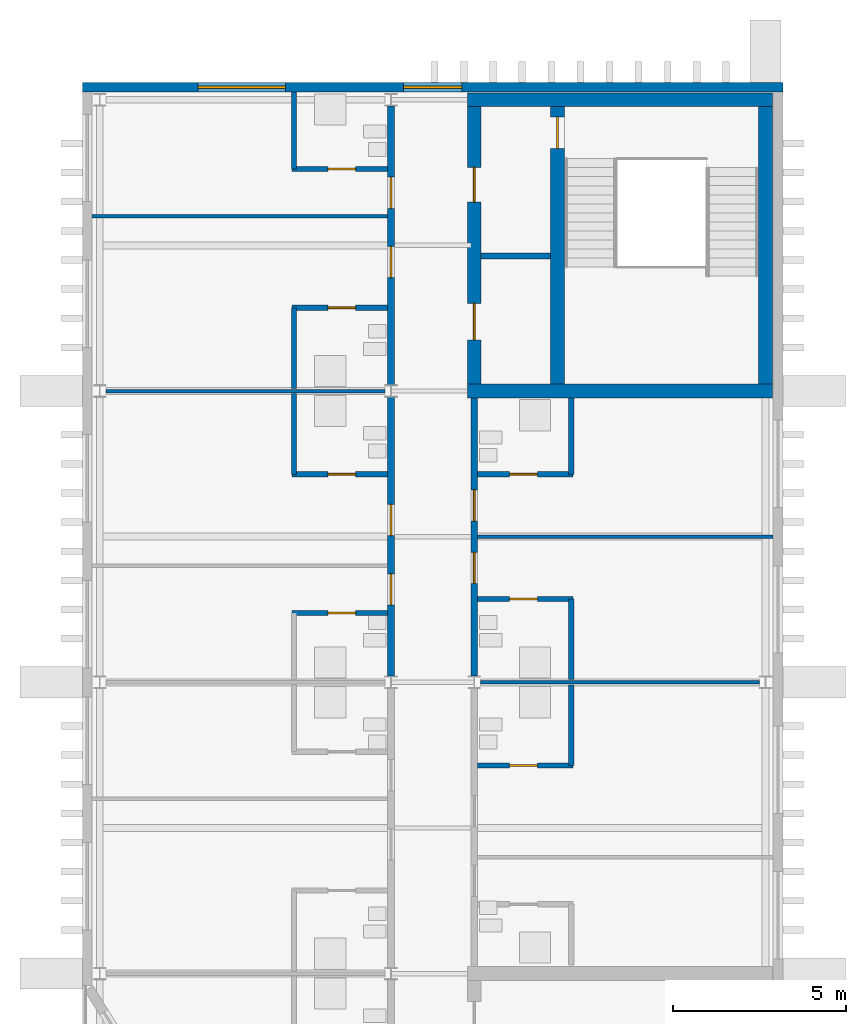
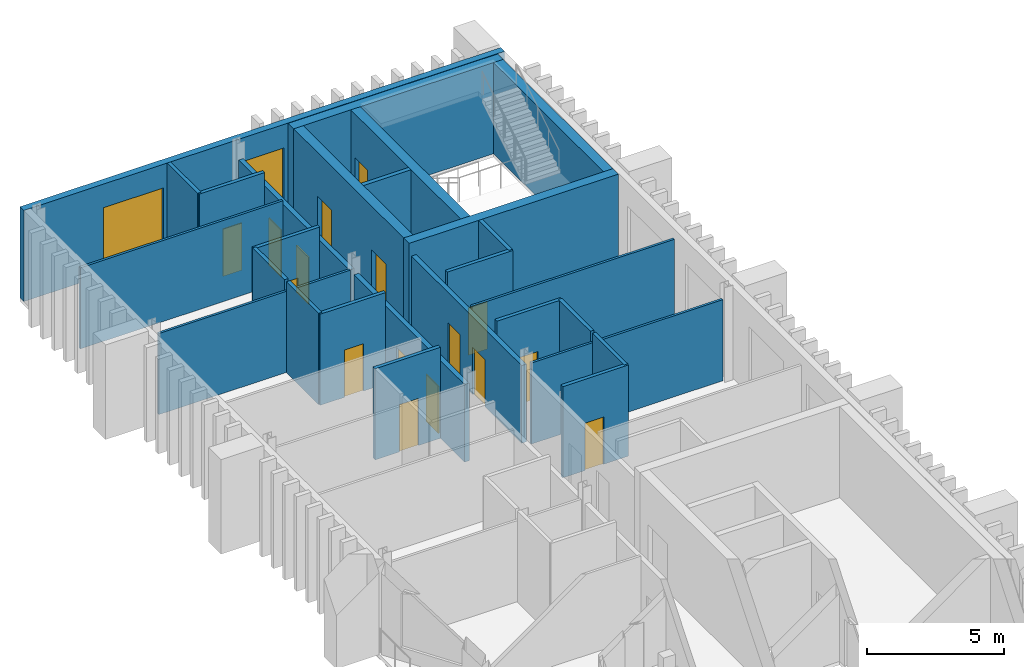
# One storey, part 8 of 11: 27 walls, 16 doors, 2 windows, 18 openings.
"""IFC4 building model written with IfcOpenShell, lengths in metres."""

from ifc_helpers import new_model, si_unit, direction, frame, frame_2d, origin, place, context, subcontext, project, spatial, rectangle, extrude, material, layer, layer_set, type_object, element, fill, save


model = new_model("IFC4")

# Units and contexts
model_context = context("Model", 3, precision=1e-05, world=origin(), true_north=direction((0.0, 1.0)))
body_context = subcontext(model_context, "Body", "Model", "MODEL_VIEW")
ifc_project = project(units=[si_unit("LENGTHUNIT", "METRE"), si_unit("AREAUNIT", "SQUARE_METRE"), si_unit("VOLUMEUNIT", "CUBIC_METRE"), si_unit("PLANEANGLEUNIT", "RADIAN"), si_unit("MASSUNIT", "GRAM", prefix="KILO")], contexts=[model_context])

# Site, building, storey
site_placement = place(None, origin())
site = spatial("IfcSite", under=ifc_project, at=site_placement, CompositionType="ELEMENT")
building_placement = place(site_placement, origin())
building = spatial("IfcBuilding", under=site, at=building_placement, Name="Cresset Court Congress Hotel", CompositionType="ELEMENT")
storey_placement = place(building_placement, frame((0.0, 0.0, 48.0)))
storey = spatial("IfcBuildingStorey", under=building, at=storey_placement, Name="L11", CompositionType="ELEMENT", Elevation=48.0)

# Wall, openings, doors
ifc_material_1 = material(Name="Gypsum board partition")
ifc_layer_1 = layer(ifc_material_1, 0.199951171875)
ifc_layer_set_1 = layer_set([ifc_layer_1], Name="Corridor wall 200")
wall_type_1 = type_object("IfcWallType", Name="Corridor wall 200", PredefinedType="PARTITIONING", material=ifc_layer_set_1)
wall_1_placement = place(storey_placement, frame((165.60009765625, 50.574951171875, 0.0), z_axis=(0.0, 0.0, 1.0), x_axis=(0.0, 1.0, 0.0)))
wall_1 = element("IfcWall", 1, at=wall_1_placement, inside=storey, type_object=wall_type_1, Name="A.wl.L11.076", PredefinedType="PARTITIONING", context=body_context, shape_type="SweptSolid", body=[
    extrude(rectangle(XDim=8.050048828125, YDim=0.199951171875, at=frame_2d((4.02490234375, 0.0))), origin(), (0.0, 0.0, 1.0), 3.449951171875),
])
opening_1_placement = place(wall_1_placement, frame((2.054931640625, 0.0, 0.0)))
opening_1 = element("IfcOpeningElement", 2, at=opening_1_placement, cuts=wall_1, Name="Opening DA-11-26", PredefinedType="OPENING", context=body_context, shape_type="SweptSolid", body=[
    extrude(rectangle(XDim=0.89990234375, YDim=2.10009765625, at=frame_2d((0.449951171875, 1.050048828125))), frame((0.0, 0.10986328125, 0.0), z_axis=(0.0, -1.0, 0.0), x_axis=(1.0, 0.0, 0.0)), (0.0, 0.0, 1.0), 0.219970703125),
])
opening_2_placement = place(wall_1_placement, frame((4.054931640625, 0.0, 0.0)))
opening_2 = element("IfcOpeningElement", 3, at=opening_2_placement, cuts=wall_1, Name="Opening DA-11-28", PredefinedType="OPENING", context=body_context, shape_type="SweptSolid", body=[
    extrude(rectangle(XDim=0.89990234375, YDim=2.10009765625, at=frame_2d((0.449951171875, 1.050048828125))), frame((0.0, 0.10986328125, 0.0), z_axis=(0.0, -1.0, 0.0), x_axis=(1.0, 0.0, 0.0)), (0.0, 0.0, 1.0), 0.219970703125),
])
ifc_material_2 = material(Name="timber", Category="wood")
door_type_1 = type_object("IfcDoorType", Name="Guest-room entry door 900x2100 FD30S", OperationType="SINGLE_SWING_LEFT", PredefinedType="DOOR", material=ifc_material_2)
door_1_placement = place(opening_1_placement, origin())
door_1 = element("IfcDoor", 4, at=door_1_placement, inside=storey, type_object=door_type_1, Name="Door DA-11-26", OperationType="SINGLE_SWING_RIGHT", OverallHeight=2.10009765625, OverallWidth=0.89990234375, PredefinedType="DOOR", context=body_context, shape_type="SweptSolid", body=[
    extrude(rectangle(XDim=0.89990234375, YDim=2.10009765625, at=frame_2d((0.449951171875, 1.050048828125))), frame((0.0, 0.02490234375, 0.0), z_axis=(0.0, -1.0, 0.0), x_axis=(1.0, 0.0, 0.0)), (0.0, 0.0, 1.0), 0.050048828125),
])
fill(opening_1, door_1)
door_2_placement = place(opening_2_placement, origin())
door_2 = element("IfcDoor", 5, at=door_2_placement, inside=storey, type_object=door_type_1, Name="Door DA-11-28", OperationType="SINGLE_SWING_LEFT", OverallHeight=2.10009765625, OverallWidth=0.89990234375, PredefinedType="DOOR", context=body_context, shape_type="SweptSolid", body=[
    extrude(rectangle(XDim=0.89990234375, YDim=2.10009765625, at=frame_2d((0.449951171875, 1.050048828125))), frame((0.0, 0.02490234375, 0.0), z_axis=(0.0, -1.0, 0.0), x_axis=(1.0, 0.0, 0.0)), (0.0, 0.0, 1.0), 0.050048828125),
])
fill(opening_2, door_2)

wall_2_placement = place(storey_placement, frame((165.60009765625, 58.97509765625, 0.0), z_axis=(0.0, 0.0, 1.0), x_axis=(0.0, 1.0, 0.0)))
wall_2 = element("IfcWall", 6, at=wall_2_placement, inside=storey, type_object=wall_type_1, Name="A.wl.L11.077", PredefinedType="PARTITIONING", context=body_context, shape_type="SweptSolid", body=[
    extrude(rectangle(XDim=8.0498046875, YDim=0.199951171875, at=frame_2d((4.02490234375, 0.0))), origin(), (0.0, 0.0, 1.0), 3.449951171875),
])
opening_3_placement = place(wall_2_placement, frame((3.094970703125, 0.0, 0.0)))
opening_3 = element("IfcOpeningElement", 7, at=opening_3_placement, cuts=wall_2, Name="Opening DA-11-30", PredefinedType="OPENING", context=body_context, shape_type="SweptSolid", body=[
    extrude(rectangle(XDim=0.89990234375, YDim=2.10009765625, at=frame_2d((0.449951171875, 1.050048828125))), frame((0.0, 0.10986328125, 0.0), z_axis=(0.0, -1.0, 0.0), x_axis=(1.0, 0.0, 0.0)), (0.0, 0.0, 1.0), 0.219970703125),
])
opening_4_placement = place(wall_2_placement, frame((5.094970703125, 0.0, 0.0)))
opening_4 = element("IfcOpeningElement", 8, at=opening_4_placement, cuts=wall_2, Name="Opening DA-11-32", PredefinedType="OPENING", context=body_context, shape_type="SweptSolid", body=[
    extrude(rectangle(XDim=0.89990234375, YDim=2.10009765625, at=frame_2d((0.449951171875, 1.050048828125))), frame((0.0, 0.10986328125, 0.0), z_axis=(0.0, -1.0, 0.0), x_axis=(1.0, 0.0, 0.0)), (0.0, 0.0, 1.0), 0.219970703125),
])
door_3_placement = place(opening_3_placement, origin())
door_3 = element("IfcDoor", 9, at=door_3_placement, inside=storey, type_object=door_type_1, Name="Door DA-11-30", OperationType="SINGLE_SWING_RIGHT", OverallHeight=2.10009765625, OverallWidth=0.89990234375, PredefinedType="DOOR", context=body_context, shape_type="SweptSolid", body=[
    extrude(rectangle(XDim=0.89990234375, YDim=2.10009765625, at=frame_2d((0.449951171875, 1.050048828125))), frame((0.0, 0.02490234375, 0.0), z_axis=(0.0, -1.0, 0.0), x_axis=(1.0, 0.0, 0.0)), (0.0, 0.0, 1.0), 0.050048828125),
])
fill(opening_3, door_3)
door_4_placement = place(opening_4_placement, origin())
door_4 = element("IfcDoor", 10, at=door_4_placement, inside=storey, type_object=door_type_1, Name="Door DA-11-32", OperationType="SINGLE_SWING_LEFT", OverallHeight=2.10009765625, OverallWidth=0.89990234375, PredefinedType="DOOR", context=body_context, shape_type="SweptSolid", body=[
    extrude(rectangle(XDim=0.89990234375, YDim=2.10009765625, at=frame_2d((0.449951171875, 1.050048828125))), frame((0.0, 0.02490234375, 0.0), z_axis=(0.0, -1.0, 0.0), x_axis=(1.0, 0.0, 0.0)), (0.0, 0.0, 1.0), 0.050048828125),
])
fill(opening_4, door_4)

wall_3_placement = place(storey_placement, frame((168.0, 50.574951171875, 0.0), z_axis=(0.0, 0.0, 1.0), x_axis=(0.0, 1.0, 0.0)))
wall_3 = element("IfcWall", 11, at=wall_3_placement, inside=storey, type_object=wall_type_1, Name="A.wl.L11.081", PredefinedType="PARTITIONING", context=body_context, shape_type="SweptSolid", body=[
    extrude(rectangle(XDim=8.025146484375, YDim=0.199951171875, at=frame_2d((4.0126953125, 0.0))), origin(), (0.0, 0.0, 1.0), 3.449951171875),
])
opening_5_placement = place(wall_3_placement, frame((2.675048828125, 0.0, 0.0)))
opening_5 = element("IfcOpeningElement", 12, at=opening_5_placement, cuts=wall_3, Name="Opening DA-11-46", PredefinedType="OPENING", context=body_context, shape_type="SweptSolid", body=[
    extrude(rectangle(XDim=0.89990234375, YDim=2.10009765625, at=frame_2d((0.449951171875, 1.050048828125))), frame((0.0, 0.10986328125, 0.0), z_axis=(0.0, -1.0, 0.0), x_axis=(1.0, 0.0, 0.0)), (0.0, 0.0, 1.0), 0.219970703125),
])
opening_6_placement = place(wall_3_placement, frame((4.47509765625, 0.0, 0.0)))
opening_6 = element("IfcOpeningElement", 13, at=opening_6_placement, cuts=wall_3, Name="Opening DA-11-48", PredefinedType="OPENING", context=body_context, shape_type="SweptSolid", body=[
    extrude(rectangle(XDim=0.89990234375, YDim=2.10009765625, at=frame_2d((0.449951171875, 1.050048828125))), frame((0.0, 0.10986328125, 0.0), z_axis=(0.0, -1.0, 0.0), x_axis=(1.0, 0.0, 0.0)), (0.0, 0.0, 1.0), 0.219970703125),
])
door_5_placement = place(opening_5_placement, origin())
door_5 = element("IfcDoor", 14, at=door_5_placement, inside=storey, type_object=door_type_1, Name="Door DA-11-46", OperationType="SINGLE_SWING_RIGHT", OverallHeight=2.10009765625, OverallWidth=0.89990234375, PredefinedType="DOOR", context=body_context, shape_type="SweptSolid", body=[
    extrude(rectangle(XDim=0.89990234375, YDim=2.10009765625, at=frame_2d((0.449951171875, 1.050048828125))), frame((0.0, 0.02490234375, 0.0), z_axis=(0.0, -1.0, 0.0), x_axis=(1.0, 0.0, 0.0)), (0.0, 0.0, 1.0), 0.050048828125),
])
fill(opening_5, door_5)
door_6_placement = place(opening_6_placement, origin())
door_6 = element("IfcDoor", 15, at=door_6_placement, inside=storey, type_object=door_type_1, Name="Door DA-11-48", OperationType="SINGLE_SWING_LEFT", OverallHeight=2.10009765625, OverallWidth=0.89990234375, PredefinedType="DOOR", context=body_context, shape_type="SweptSolid", body=[
    extrude(rectangle(XDim=0.89990234375, YDim=2.10009765625, at=frame_2d((0.449951171875, 1.050048828125))), frame((0.0, 0.02490234375, 0.0), z_axis=(0.0, -1.0, 0.0), x_axis=(1.0, 0.0, 0.0)), (0.0, 0.0, 1.0), 0.050048828125),
])
fill(opening_6, door_6)

# Wall, opening, door
ifc_material_3 = material(Name="Gypsum board partition")
ifc_layer_2 = layer(ifc_material_3, 0.14990234375)
ifc_layer_set_2 = layer_set([ifc_layer_2], Name="En-suite wall 150")
wall_type_2 = type_object("IfcWallType", Name="En-suite wall 150", PredefinedType="PARTITIONING", material=ifc_layer_set_2)
wall_4_placement = place(storey_placement, frame((162.75, 52.39990234375, 0.0), z_axis=(0.0, 0.0, 1.0), x_axis=(1.0, 0.0, 0.0)))
wall_4 = element("IfcWall", 16, at=wall_4_placement, inside=storey, type_object=wall_type_2, Name="A.wl.L11.026", PredefinedType="PARTITIONING", context=body_context, shape_type="SweptSolid", body=[
    extrude(rectangle(XDim=2.75, YDim=0.14990234375, at=frame_2d((1.375, 0.0))), origin(), (0.0, 0.0, 1.0), 4.050048828125),
])
opening_7_placement = place(wall_4_placement, frame((1.030029296875, 0.0, 0.0)))
opening_7 = element("IfcOpeningElement", 17, at=opening_7_placement, cuts=wall_4, Name="Opening DA-11-25", PredefinedType="OPENING", context=body_context, shape_type="SweptSolid", body=[
    extrude(rectangle(XDim=0.800048828125, YDim=2.10009765625, at=frame_2d((0.39990234375, 1.050048828125))), frame((0.0, 0.0849609375, 0.0), z_axis=(0.0, -1.0, 0.0), x_axis=(1.0, 0.0, 0.0)), (0.0, 0.0, 1.0), 0.169921875),
])
ifc_material_4 = material(Name="timber", Category="wood")
door_type_2 = type_object("IfcDoorType", Name="En-suite door 800x2100", OperationType="SINGLE_SWING_LEFT", PredefinedType="DOOR", material=ifc_material_4)
door_7_placement = place(opening_7_placement, origin())
door_7 = element("IfcDoor", 18, at=door_7_placement, inside=storey, type_object=door_type_2, Name="Door DA-11-25", OperationType="SINGLE_SWING_RIGHT", OverallHeight=2.10009765625, OverallWidth=0.800048828125, PredefinedType="DOOR", context=body_context, shape_type="SweptSolid", body=[
    extrude(rectangle(XDim=0.800048828125, YDim=2.10009765625, at=frame_2d((0.39990234375, 1.050048828125))), frame((0.0, 0.02490234375, 0.0), z_axis=(0.0, -1.0, 0.0), x_axis=(1.0, 0.0, 0.0)), (0.0, 0.0, 1.0), 0.050048828125),
])
fill(opening_7, door_7)

# Wall
wall_5_placement = place(storey_placement, frame((162.800048828125, 56.39990234375, 0.0), z_axis=(0.0, 0.0, 1.0), x_axis=(0.0, 1.0, 0.0)))
element("IfcWall", 19, at=wall_5_placement, inside=storey, type_object=wall_type_2, Name="A.wl.L11.027", PredefinedType="PARTITIONING", context=body_context, shape_type="SweptSolid", body=[
    extrude(rectangle(XDim=2.3251953125, YDim=0.14990234375, at=frame_2d((1.16259765625, 0.0))), origin(), (0.0, 0.0, 1.0), 4.050048828125),
])

# Wall, opening, door
wall_6_placement = place(storey_placement, frame((162.75, 56.39990234375, 0.0), z_axis=(0.0, 0.0, 1.0), x_axis=(1.0, 0.0, 0.0)))
wall_6 = element("IfcWall", 20, at=wall_6_placement, inside=storey, type_object=wall_type_2, Name="A.wl.L11.028", PredefinedType="PARTITIONING", context=body_context, shape_type="SweptSolid", body=[
    extrude(rectangle(XDim=2.75, YDim=0.14990234375, at=frame_2d((1.375, 0.0))), origin(), (0.0, 0.0, 1.0), 4.050048828125),
])
opening_8_placement = place(wall_6_placement, frame((1.030029296875, 0.0, 0.0)))
opening_8 = element("IfcOpeningElement", 21, at=opening_8_placement, cuts=wall_6, Name="Opening DA-11-27", PredefinedType="OPENING", context=body_context, shape_type="SweptSolid", body=[
    extrude(rectangle(XDim=0.800048828125, YDim=2.10009765625, at=frame_2d((0.39990234375, 1.050048828125))), frame((0.0, 0.0849609375, 0.0), z_axis=(0.0, -1.0, 0.0), x_axis=(1.0, 0.0, 0.0)), (0.0, 0.0, 1.0), 0.169921875),
])
door_8_placement = place(opening_8_placement, origin())
door_8 = element("IfcDoor", 22, at=door_8_placement, inside=storey, type_object=door_type_2, Name="Door DA-11-27", OperationType="SINGLE_SWING_LEFT", OverallHeight=2.10009765625, OverallWidth=0.800048828125, PredefinedType="DOOR", context=body_context, shape_type="SweptSolid", body=[
    extrude(rectangle(XDim=0.800048828125, YDim=2.10009765625, at=frame_2d((0.39990234375, 1.050048828125))), frame((0.0, 0.02490234375, 0.0), z_axis=(0.0, -1.0, 0.0), x_axis=(1.0, 0.0, 0.0)), (0.0, 0.0, 1.0), 0.050048828125),
])
fill(opening_8, door_8)

# Wall
wall_7_placement = place(storey_placement, frame((162.800048828125, 58.875, 0.0), z_axis=(0.0, 0.0, 1.0), x_axis=(0.0, 1.0, 0.0)))
element("IfcWall", 23, at=wall_7_placement, inside=storey, type_object=wall_type_2, Name="A.wl.L11.029", PredefinedType="PARTITIONING", context=body_context, shape_type="SweptSolid", body=[
    extrude(rectangle(XDim=2.324951171875, YDim=0.14990234375, at=frame_2d((1.16259765625, 0.0))), origin(), (0.0, 0.0, 1.0), 4.050048828125),
])

# Wall, opening, door
wall_8_placement = place(storey_placement, frame((162.75, 61.199951171875, 0.0), z_axis=(0.0, 0.0, 1.0), x_axis=(1.0, 0.0, 0.0)))
wall_8 = element("IfcWall", 24, at=wall_8_placement, inside=storey, type_object=wall_type_2, Name="A.wl.L11.030", PredefinedType="PARTITIONING", context=body_context, shape_type="SweptSolid", body=[
    extrude(rectangle(XDim=2.75, YDim=0.14990234375, at=frame_2d((1.375, 0.0))), origin(), (0.0, 0.0, 1.0), 4.050048828125),
])
opening_9_placement = place(wall_8_placement, frame((1.030029296875, 0.0, 0.0)))
opening_9 = element("IfcOpeningElement", 25, at=opening_9_placement, cuts=wall_8, Name="Opening DA-11-29", PredefinedType="OPENING", context=body_context, shape_type="SweptSolid", body=[
    extrude(rectangle(XDim=0.800048828125, YDim=2.10009765625, at=frame_2d((0.39990234375, 1.050048828125))), frame((0.0, 0.0849609375, 0.0), z_axis=(0.0, -1.0, 0.0), x_axis=(1.0, 0.0, 0.0)), (0.0, 0.0, 1.0), 0.169921875),
])
door_9_placement = place(opening_9_placement, origin())
door_9 = element("IfcDoor", 26, at=door_9_placement, inside=storey, type_object=door_type_2, Name="Door DA-11-29", OperationType="SINGLE_SWING_RIGHT", OverallHeight=2.10009765625, OverallWidth=0.800048828125, PredefinedType="DOOR", context=body_context, shape_type="SweptSolid", body=[
    extrude(rectangle(XDim=0.800048828125, YDim=2.10009765625, at=frame_2d((0.39990234375, 1.050048828125))), frame((0.0, 0.02490234375, 0.0), z_axis=(0.0, -1.0, 0.0), x_axis=(1.0, 0.0, 0.0)), (0.0, 0.0, 1.0), 0.050048828125),
])
fill(opening_9, door_9)

# Wall
wall_9_placement = place(storey_placement, frame((162.800048828125, 65.199951171875, 0.0), z_axis=(0.0, 0.0, 1.0), x_axis=(0.0, 1.0, 0.0)))
element("IfcWall", 27, at=wall_9_placement, inside=storey, type_object=wall_type_2, Name="A.wl.L11.031", PredefinedType="PARTITIONING", context=body_context, shape_type="SweptSolid", body=[
    extrude(rectangle(XDim=2.219970703125, YDim=0.14990234375, at=frame_2d((1.10986328125, 0.0))), origin(), (0.0, 0.0, 1.0), 4.050048828125),
])

# Wall, opening, door
wall_10_placement = place(storey_placement, frame((162.75, 65.199951171875, 0.0), z_axis=(0.0, 0.0, 1.0), x_axis=(1.0, 0.0, 0.0)))
wall_10 = element("IfcWall", 28, at=wall_10_placement, inside=storey, type_object=wall_type_2, Name="A.wl.L11.032", PredefinedType="PARTITIONING", context=body_context, shape_type="SweptSolid", body=[
    extrude(rectangle(XDim=2.75, YDim=0.14990234375, at=frame_2d((1.375, 0.0))), origin(), (0.0, 0.0, 1.0), 4.050048828125),
])
opening_10_placement = place(wall_10_placement, frame((1.030029296875, 0.0, 0.0)))
opening_10 = element("IfcOpeningElement", 29, at=opening_10_placement, cuts=wall_10, Name="Opening DA-11-31", PredefinedType="OPENING", context=body_context, shape_type="SweptSolid", body=[
    extrude(rectangle(XDim=0.800048828125, YDim=2.10009765625, at=frame_2d((0.39990234375, 1.050048828125))), frame((0.0, 0.0849609375, 0.0), z_axis=(0.0, -1.0, 0.0), x_axis=(1.0, 0.0, 0.0)), (0.0, 0.0, 1.0), 0.169921875),
])
door_10_placement = place(opening_10_placement, origin())
door_10 = element("IfcDoor", 30, at=door_10_placement, inside=storey, type_object=door_type_2, Name="Door DA-11-31", OperationType="SINGLE_SWING_LEFT", OverallHeight=2.10009765625, OverallWidth=0.800048828125, PredefinedType="DOOR", context=body_context, shape_type="SweptSolid", body=[
    extrude(rectangle(XDim=0.800048828125, YDim=2.10009765625, at=frame_2d((0.39990234375, 1.050048828125))), frame((0.0, 0.02490234375, 0.0), z_axis=(0.0, -1.0, 0.0), x_axis=(1.0, 0.0, 0.0)), (0.0, 0.0, 1.0), 0.050048828125),
])
fill(opening_10, door_10)

# Wall
wall_11_placement = place(storey_placement, frame((170.800048828125, 48.0, 0.0), z_axis=(0.0, 0.0, 1.0), x_axis=(0.0, 1.0, 0.0)))
element("IfcWall", 31, at=wall_11_placement, inside=storey, type_object=wall_type_2, Name="A.wl.L11.043", PredefinedType="PARTITIONING", context=body_context, shape_type="SweptSolid", body=[
    extrude(rectangle(XDim=2.324951171875, YDim=0.14990234375, at=frame_2d((1.16259765625, 0.0))), origin(), (0.0, 0.0, 1.0), 4.050048828125),
])

# Wall, opening, door
wall_12_placement = place(storey_placement, frame((170.85009765625, 48.0, 0.0), z_axis=(0.0, 0.0, 1.0), x_axis=(-1.0, 0.0, 0.0)))
wall_12 = element("IfcWall", 32, at=wall_12_placement, inside=storey, type_object=wall_type_2, Name="A.wl.L11.044", PredefinedType="PARTITIONING", context=body_context, shape_type="SweptSolid", body=[
    extrude(rectangle(XDim=2.75, YDim=0.14990234375, at=frame_2d((1.375, 0.0))), origin(), (0.0, 0.0, 1.0), 4.050048828125),
])
opening_11_placement = place(wall_12_placement, frame((1.030029296875, 0.0, 0.0)))
opening_11 = element("IfcOpeningElement", 33, at=opening_11_placement, cuts=wall_12, Name="Opening DA-11-43", PredefinedType="OPENING", context=body_context, shape_type="SweptSolid", body=[
    extrude(rectangle(XDim=0.800048828125, YDim=2.10009765625, at=frame_2d((0.39990234375, 1.050048828125))), frame((0.0, 0.0849609375, 0.0), z_axis=(0.0, -1.0, 0.0), x_axis=(1.0, 0.0, 0.0)), (0.0, 0.0, 1.0), 0.169921875),
])
door_11_placement = place(opening_11_placement, origin())
door_11 = element("IfcDoor", 34, at=door_11_placement, inside=storey, type_object=door_type_2, Name="Door DA-11-43", OperationType="SINGLE_SWING_LEFT", OverallHeight=2.10009765625, OverallWidth=0.800048828125, PredefinedType="DOOR", context=body_context, shape_type="SweptSolid", body=[
    extrude(rectangle(XDim=0.800048828125, YDim=2.10009765625, at=frame_2d((0.39990234375, 1.050048828125))), frame((0.0, 0.02490234375, 0.0), z_axis=(0.0, -1.0, 0.0), x_axis=(1.0, 0.0, 0.0)), (0.0, 0.0, 1.0), 0.050048828125),
])
fill(opening_11, door_11)

# Wall
wall_13_placement = place(storey_placement, frame((170.800048828125, 50.47509765625, 0.0), z_axis=(0.0, 0.0, 1.0), x_axis=(0.0, 1.0, 0.0)))
element("IfcWall", 35, at=wall_13_placement, inside=storey, type_object=wall_type_2, Name="A.wl.L11.045", PredefinedType="PARTITIONING", context=body_context, shape_type="SweptSolid", body=[
    extrude(rectangle(XDim=2.324951171875, YDim=0.14990234375, at=frame_2d((1.16259765625, 0.0))), origin(), (0.0, 0.0, 1.0), 4.050048828125),
])

# Wall, opening, door
wall_14_placement = place(storey_placement, frame((170.85009765625, 52.800048828125, 0.0), z_axis=(0.0, 0.0, 1.0), x_axis=(-1.0, 0.0, 0.0)))
wall_14 = element("IfcWall", 36, at=wall_14_placement, inside=storey, type_object=wall_type_2, Name="A.wl.L11.046", PredefinedType="PARTITIONING", context=body_context, shape_type="SweptSolid", body=[
    extrude(rectangle(XDim=2.75, YDim=0.14990234375, at=frame_2d((1.375, 0.0))), origin(), (0.0, 0.0, 1.0), 4.050048828125),
])
opening_12_placement = place(wall_14_placement, frame((1.030029296875, 0.0, 0.0)))
opening_12 = element("IfcOpeningElement", 37, at=opening_12_placement, cuts=wall_14, Name="Opening DA-11-45", PredefinedType="OPENING", context=body_context, shape_type="SweptSolid", body=[
    extrude(rectangle(XDim=0.800048828125, YDim=2.10009765625, at=frame_2d((0.39990234375, 1.050048828125))), frame((0.0, 0.0849609375, 0.0), z_axis=(0.0, -1.0, 0.0), x_axis=(1.0, 0.0, 0.0)), (0.0, 0.0, 1.0), 0.169921875),
])
door_12_placement = place(opening_12_placement, origin())
door_12 = element("IfcDoor", 38, at=door_12_placement, inside=storey, type_object=door_type_2, Name="Door DA-11-45", OperationType="SINGLE_SWING_RIGHT", OverallHeight=2.10009765625, OverallWidth=0.800048828125, PredefinedType="DOOR", context=body_context, shape_type="SweptSolid", body=[
    extrude(rectangle(XDim=0.800048828125, YDim=2.10009765625, at=frame_2d((0.39990234375, 1.050048828125))), frame((0.0, 0.02490234375, 0.0), z_axis=(0.0, -1.0, 0.0), x_axis=(1.0, 0.0, 0.0)), (0.0, 0.0, 1.0), 0.050048828125),
])
fill(opening_12, door_12)

# Wall
wall_15_placement = place(storey_placement, frame((170.800048828125, 56.39990234375, 0.0), z_axis=(0.0, 0.0, 1.0), x_axis=(0.0, 1.0, 0.0)))
element("IfcWall", 39, at=wall_15_placement, inside=storey, type_object=wall_type_2, Name="A.wl.L11.047", PredefinedType="PARTITIONING", context=body_context, shape_type="SweptSolid", body=[
    extrude(rectangle(XDim=2.2001953125, YDim=0.14990234375, at=frame_2d((1.10009765625, 0.0))), origin(), (0.0, 0.0, 1.0), 4.050048828125),
])

# Wall, opening, door
wall_16_placement = place(storey_placement, frame((170.85009765625, 56.39990234375, 0.0), z_axis=(0.0, 0.0, 1.0), x_axis=(-1.0, 0.0, 0.0)))
wall_16 = element("IfcWall", 40, at=wall_16_placement, inside=storey, type_object=wall_type_2, Name="A.wl.L11.048", PredefinedType="PARTITIONING", context=body_context, shape_type="SweptSolid", body=[
    extrude(rectangle(XDim=2.75, YDim=0.14990234375, at=frame_2d((1.375, 0.0))), origin(), (0.0, 0.0, 1.0), 4.050048828125),
])
opening_13_placement = place(wall_16_placement, frame((1.030029296875, 0.0, 0.0)))
opening_13 = element("IfcOpeningElement", 41, at=opening_13_placement, cuts=wall_16, Name="Opening DA-11-47", PredefinedType="OPENING", context=body_context, shape_type="SweptSolid", body=[
    extrude(rectangle(XDim=0.800048828125, YDim=2.10009765625, at=frame_2d((0.39990234375, 1.050048828125))), frame((0.0, 0.0849609375, 0.0), z_axis=(0.0, -1.0, 0.0), x_axis=(1.0, 0.0, 0.0)), (0.0, 0.0, 1.0), 0.169921875),
])
door_13_placement = place(opening_13_placement, origin())
door_13 = element("IfcDoor", 42, at=door_13_placement, inside=storey, type_object=door_type_2, Name="Door DA-11-47", OperationType="SINGLE_SWING_LEFT", OverallHeight=2.10009765625, OverallWidth=0.800048828125, PredefinedType="DOOR", context=body_context, shape_type="SweptSolid", body=[
    extrude(rectangle(XDim=0.800048828125, YDim=2.10009765625, at=frame_2d((0.39990234375, 1.050048828125))), frame((0.0, 0.02490234375, 0.0), z_axis=(0.0, -1.0, 0.0), x_axis=(1.0, 0.0, 0.0)), (0.0, 0.0, 1.0), 0.050048828125),
])
fill(opening_13, door_13)

# Wall, openings, windows
ifc_material_5 = material(Name="Precast concrete C50", Category="concrete")
ifc_layer_3 = layer(ifc_material_5, 0.280029296875)
ifc_layer_set_3 = layer_set([ifc_layer_3], Name="Gable end wall 280")
wall_type_3 = type_object("IfcWallType", Name="Gable end wall 280", PredefinedType="SOLIDWALL", material=ifc_layer_set_3)
wall_17_placement = place(storey_placement, frame((156.699951171875, 67.56005859375, 0.0), z_axis=(0.0, 0.0, 1.0), x_axis=(1.0, 0.0, 0.0)))
wall_17 = element("IfcWall", 43, at=wall_17_placement, inside=storey, type_object=wall_type_3, Name="A.ew.L11.N.1", PredefinedType="SOLIDWALL", context=body_context, shape_type="SweptSolid", body=[
    extrude(rectangle(XDim=20.199951171875, YDim=0.280029296875, at=frame_2d((10.10009765625, 0.0))), origin(), (0.0, 0.0, 1.0), 4.050048828125),
])
opening_14_placement = place(wall_17_placement, frame((9.260009765625, 0.0, 0.60009765625)))
opening_14 = element("IfcOpeningElement", 44, at=opening_14_placement, cuts=wall_17, Name="Opening NA-11-27", PredefinedType="OPENING", context=body_context, shape_type="SweptSolid", body=[
    extrude(rectangle(XDim=1.679931640625, YDim=2.39990234375, at=frame_2d((0.83984375, 1.199951171875))), frame((0.0, 0.14990234375, 0.0), z_axis=(0.0, -1.0, 0.0), x_axis=(1.0, 0.0, 0.0)), (0.0, 0.0, 1.0), 0.300048828125),
])
opening_15_placement = place(wall_17_placement, frame((3.340087890625, 0.0, 0.60009765625)))
opening_15 = element("IfcOpeningElement", 45, at=opening_15_placement, cuts=wall_17, Name="Opening NA-11-28", PredefinedType="OPENING", context=body_context, shape_type="SweptSolid", body=[
    extrude(rectangle(XDim=2.52001953125, YDim=2.39990234375, at=frame_2d((1.260009765625, 1.199951171875))), frame((0.0, 0.14990234375, 0.0), z_axis=(0.0, -1.0, 0.0), x_axis=(1.0, 0.0, 0.0)), (0.0, 0.0, 1.0), 0.300048828125),
])
ifc_material_6 = material(Name="Aluminium and glass", Category="aluminium")
window_type_1 = type_object("IfcWindowType", Name="Window 1680x2400", PartitioningType="SINGLE_PANEL", PredefinedType="WINDOW", material=ifc_material_6)
window_1_placement = place(opening_14_placement, origin())
window_1 = element("IfcWindow", 46, at=window_1_placement, inside=storey, type_object=window_type_1, Name="Window NA-11-27", OverallHeight=2.39990234375, OverallWidth=1.679931640625, PartitioningType="SINGLE_PANEL", PredefinedType="WINDOW", context=body_context, shape_type="SweptSolid", body=[
    extrude(rectangle(XDim=1.679931640625, YDim=2.39990234375, at=frame_2d((0.83984375, 1.199951171875))), frame((0.0, 0.030029296875, 0.0), z_axis=(0.0, -1.0, 0.0), x_axis=(1.0, 0.0, 0.0)), (0.0, 0.0, 1.0), 0.06005859375),
])
fill(opening_14, window_1)
ifc_material_7 = material(Name="Aluminium and glass", Category="aluminium")
window_type_2 = type_object("IfcWindowType", Name="Window 2520x2400", PartitioningType="SINGLE_PANEL", PredefinedType="WINDOW", material=ifc_material_7)
window_2_placement = place(opening_15_placement, origin())
window_2 = element("IfcWindow", 47, at=window_2_placement, inside=storey, type_object=window_type_2, Name="Window NA-11-28", OverallHeight=2.39990234375, OverallWidth=2.52001953125, PartitioningType="SINGLE_PANEL", PredefinedType="WINDOW", context=body_context, shape_type="SweptSolid", body=[
    extrude(rectangle(XDim=2.52001953125, YDim=2.39990234375, at=frame_2d((1.260009765625, 1.199951171875))), frame((0.0, 0.030029296875, 0.0), z_axis=(0.0, -1.0, 0.0), x_axis=(1.0, 0.0, 0.0)), (0.0, 0.0, 1.0), 0.06005859375),
])
fill(opening_15, window_2)

# Walls
ifc_material_8 = material(Name="Gypsum board partition")
ifc_layer_4 = layer(ifc_material_8, 0.10009765625)
ifc_layer_set_4 = layer_set([ifc_layer_4], Name="Guest-room partition 100")
wall_type_4 = type_object("IfcWallType", Name="Guest-room partition 100", PredefinedType="PARTITIONING", material=ifc_layer_set_4)
for number, where, z_axis, x_axis, name in (
    (48, (157.375, 58.800048828125, 0.0), (0.0, 0.0, 1.0), (1.0, 0.0, 0.0), "A.wl.L11.055"),
    (49, (168.175048828125, 50.39990234375, 0.0), (0.0, 0.0, 1.0), (1.0, 0.0, 0.0), "A.wl.L11.057"),
):
    element("IfcWall", number, at=place(storey_placement, frame(where, z_axis=z_axis, x_axis=x_axis)), inside=storey, type_object=wall_type_4, Name=name, PredefinedType="PARTITIONING", context=body_context, shape_type="SweptSolid", body=[
        extrude(rectangle(XDim=8.050048828125, YDim=0.10009765625, at=frame_2d((4.02490234375, 0.0))), origin(), (0.0, 0.0, 1.0), 3.60400390625),
    ])
for number, where, z_axis, x_axis, name in (
    (50, (156.97998046875, 63.840087890625, 0.0), (0.0, 0.0, 1.0), (1.0, 0.0, 0.0), "A.wl.L11.065"),
    (51, (168.10009765625, 54.60009765625, 0.0), (0.0, 0.0, 1.0), (1.0, 0.0, 0.0), "A.wl.L11.069"),
):
    element("IfcWall", number, at=place(storey_placement, frame(where, z_axis=z_axis, x_axis=x_axis)), inside=storey, type_object=wall_type_4, Name=name, PredefinedType="PARTITIONING", context=body_context, shape_type="SweptSolid", body=[
        extrude(rectangle(XDim=8.52001953125, YDim=0.10009765625, at=frame_2d((4.260009765625, 0.0))), origin(), (0.0, 0.0, 1.0), 3.60400390625),
    ])
ifc_material_9 = material(Name="Concrete block wall", Category="concrete")
ifc_layer_5 = layer(ifc_material_9, 0.175048828125)
ifc_layer_set_5 = layer_set([ifc_layer_5], Name="Riser shaft wall 175")
wall_type_5 = type_object("IfcWallType", Name="Riser shaft wall 175", PredefinedType="PARTITIONING", material=ifc_layer_set_5)
wall_18_placement = place(storey_placement, frame((168.199951171875, 62.699951171875, 0.0), z_axis=(0.0, 0.0, 1.0), x_axis=(1.0, 0.0, 0.0)))
element("IfcWall", 52, at=wall_18_placement, inside=storey, type_object=wall_type_5, Name="A.wl.L11.085", PredefinedType="PARTITIONING", context=body_context, shape_type="SweptSolid", body=[
    extrude(rectangle(XDim=2.0, YDim=0.175048828125, at=frame_2d((1.0, 0.0))), origin(), (0.0, 0.0, 1.0), 4.050048828125),
])
ifc_material_10 = material(Name="Concrete C50", Category="concrete")
ifc_layer_6 = layer(ifc_material_10, 0.39990234375)
ifc_layer_set_6 = layer_set([ifc_layer_6], Name="Stair core wall 400")
wall_type_6 = type_object("IfcWallType", Name="Stair core wall 400", PredefinedType="SOLIDWALL", material=ifc_layer_set_6)
for number, where, z_axis, x_axis, name in (
    (53, (167.800048828125, 58.800048828125, 0.0), (0.0, 0.0, 1.0), (1.0, 0.0, 0.0), "A.cw.ST-A2.L11.S"),
    (54, (167.800048828125, 67.199951171875, 0.0), (0.0, 0.0, 1.0), (1.0, 0.0, 0.0), "A.cw.ST-A2.L11.N"),
):
    element("IfcWall", number, at=place(storey_placement, frame(where, z_axis=z_axis, x_axis=x_axis)), inside=storey, type_object=wall_type_6, Name=name, PredefinedType="SOLIDWALL", context=body_context, shape_type="SweptSolid", body=[
        extrude(rectangle(XDim=8.800048828125, YDim=0.39990234375, at=frame_2d((4.39990234375, 0.0))), origin(), (0.0, 0.0, 1.0), 4.050048828125),
    ])

# Wall, openings, doors
wall_19_placement = place(storey_placement, frame((168.0, 59.0, 0.0), z_axis=(0.0, 0.0, 1.0), x_axis=(0.0, 1.0, 0.0)))
wall_19 = element("IfcWall", 55, at=wall_19_placement, inside=storey, type_object=wall_type_6, Name="A.cw.ST-A2.L11.W", PredefinedType="SOLIDWALL", context=body_context, shape_type="SweptSolid", body=[
    extrude(rectangle(XDim=8.0, YDim=0.39990234375, at=frame_2d((4.0, 0.0))), origin(), (0.0, 0.0, 1.0), 4.050048828125),
])
opening_16_placement = place(wall_19_placement, frame((5.25, 0.0, 0.0)))
opening_16 = element("IfcOpeningElement", 56, at=opening_16_placement, cuts=wall_19, Name="Opening DA-11-53", PredefinedType="OPENING", context=body_context, shape_type="SweptSolid", body=[
    extrude(rectangle(XDim=1.0, YDim=2.10009765625, at=frame_2d((0.5, 1.050048828125))), frame((0.0, 0.2099609375, 0.0), z_axis=(0.0, -1.0, 0.0), x_axis=(1.0, 0.0, 0.0)), (0.0, 0.0, 1.0), 0.419921875),
])
opening_17_placement = place(wall_19_placement, frame((1.27490234375, 0.0, 0.0)))
opening_17 = element("IfcOpeningElement", 57, at=opening_17_placement, cuts=wall_19, Name="Opening DA-11-54", PredefinedType="OPENING", context=body_context, shape_type="SweptSolid", body=[
    extrude(rectangle(XDim=1.050048828125, YDim=2.10009765625, at=frame_2d((0.52490234375, 1.050048828125))), frame((0.0, 0.2099609375, 0.0), z_axis=(0.0, -1.0, 0.0), x_axis=(1.0, 0.0, 0.0)), (0.0, 0.0, 1.0), 0.419921875),
])
ifc_material_11 = material(Name="steel", Category="steel")
door_type_3 = type_object("IfcDoorType", Name="Housekeeping room door 1050x2100 FD30", OperationType="SINGLE_SWING_LEFT", PredefinedType="DOOR", material=ifc_material_11)
door_14_placement = place(opening_17_placement, origin())
door_14 = element("IfcDoor", 58, at=door_14_placement, inside=storey, type_object=door_type_3, Name="Door DA-11-54", OperationType="SINGLE_SWING_RIGHT", OverallHeight=2.10009765625, OverallWidth=1.050048828125, PredefinedType="DOOR", context=body_context, shape_type="SweptSolid", body=[
    extrude(rectangle(XDim=1.050048828125, YDim=2.10009765625, at=frame_2d((0.52490234375, 1.050048828125))), frame((0.0, 0.02490234375, 0.0), z_axis=(0.0, -1.0, 0.0), x_axis=(1.0, 0.0, 0.0)), (0.0, 0.0, 1.0), 0.050048828125),
])
fill(opening_17, door_14)
ifc_material_12 = material(Name="steel", Category="steel")
door_type_4 = type_object("IfcDoorType", Name="Lobby door 1000x2100 FD60", OperationType="SINGLE_SWING_LEFT", PredefinedType="DOOR", material=ifc_material_12)
door_15_placement = place(opening_16_placement, origin())
door_15 = element("IfcDoor", 59, at=door_15_placement, inside=storey, type_object=door_type_4, Name="Door DA-11-53", OperationType="SINGLE_SWING_LEFT", OverallHeight=2.10009765625, OverallWidth=1.0, PredefinedType="DOOR", context=body_context, shape_type="SweptSolid", body=[
    extrude(rectangle(XDim=1.0, YDim=2.10009765625, at=frame_2d((0.5, 1.050048828125))), frame((0.0, 0.02490234375, 0.0), z_axis=(0.0, -1.0, 0.0), x_axis=(1.0, 0.0, 0.0)), (0.0, 0.0, 1.0), 0.050048828125),
])
fill(opening_16, door_15)

# Wall
wall_20_placement = place(storey_placement, frame((176.39990234375, 59.0, 0.0), z_axis=(0.0, 0.0, 1.0), x_axis=(0.0, 1.0, 0.0)))
element("IfcWall", 60, at=wall_20_placement, inside=storey, type_object=wall_type_6, Name="A.cw.ST-A2.L11.E", PredefinedType="SOLIDWALL", context=body_context, shape_type="SweptSolid", body=[
    extrude(rectangle(XDim=8.0, YDim=0.39990234375, at=frame_2d((4.0, 0.0))), origin(), (0.0, 0.0, 1.0), 4.050048828125),
])

# Wall, opening, door
wall_21_placement = place(storey_placement, frame((170.39990234375, 59.0, 0.0), z_axis=(0.0, 0.0, 1.0), x_axis=(0.0, 1.0, 0.0)))
wall_21 = element("IfcWall", 61, at=wall_21_placement, inside=storey, type_object=wall_type_6, Name="A.wl.L11.084", PredefinedType="SOLIDWALL", context=body_context, shape_type="SweptSolid", body=[
    extrude(rectangle(XDim=8.0, YDim=0.39990234375, at=frame_2d((4.0, 0.0))), origin(), (0.0, 0.0, 1.0), 4.050048828125),
])
opening_18_placement = place(wall_21_placement, frame((6.800048828125, 0.0, 0.0)))
opening_18 = element("IfcOpeningElement", 62, at=opening_18_placement, cuts=wall_21, Name="Opening DA-11-52", PredefinedType="OPENING", context=body_context, shape_type="SweptSolid", body=[
    extrude(rectangle(XDim=0.89990234375, YDim=2.10009765625, at=frame_2d((0.449951171875, 1.050048828125))), frame((0.0, 0.2099609375, 0.0), z_axis=(0.0, -1.0, 0.0), x_axis=(1.0, 0.0, 0.0)), (0.0, 0.0, 1.0), 0.419921875),
])
ifc_material_13 = material(Name="steel", Category="steel")
door_type_5 = type_object("IfcDoorType", Name="Stair door 900x2100 FD60", OperationType="SINGLE_SWING_LEFT", PredefinedType="DOOR", material=ifc_material_13)
door_16_placement = place(opening_18_placement, origin())
door_16 = element("IfcDoor", 63, at=door_16_placement, inside=storey, type_object=door_type_5, Name="Door DA-11-52", OperationType="SINGLE_SWING_RIGHT", OverallHeight=2.10009765625, OverallWidth=0.89990234375, PredefinedType="DOOR", context=body_context, shape_type="SweptSolid", body=[
    extrude(rectangle(XDim=0.89990234375, YDim=2.10009765625, at=frame_2d((0.449951171875, 1.050048828125))), frame((0.0, 0.02490234375, 0.0), z_axis=(0.0, -1.0, 0.0), x_axis=(1.0, 0.0, 0.0)), (0.0, 0.0, 1.0), 0.050048828125),
])
fill(opening_18, door_16)

save(model, "model.ifc")
